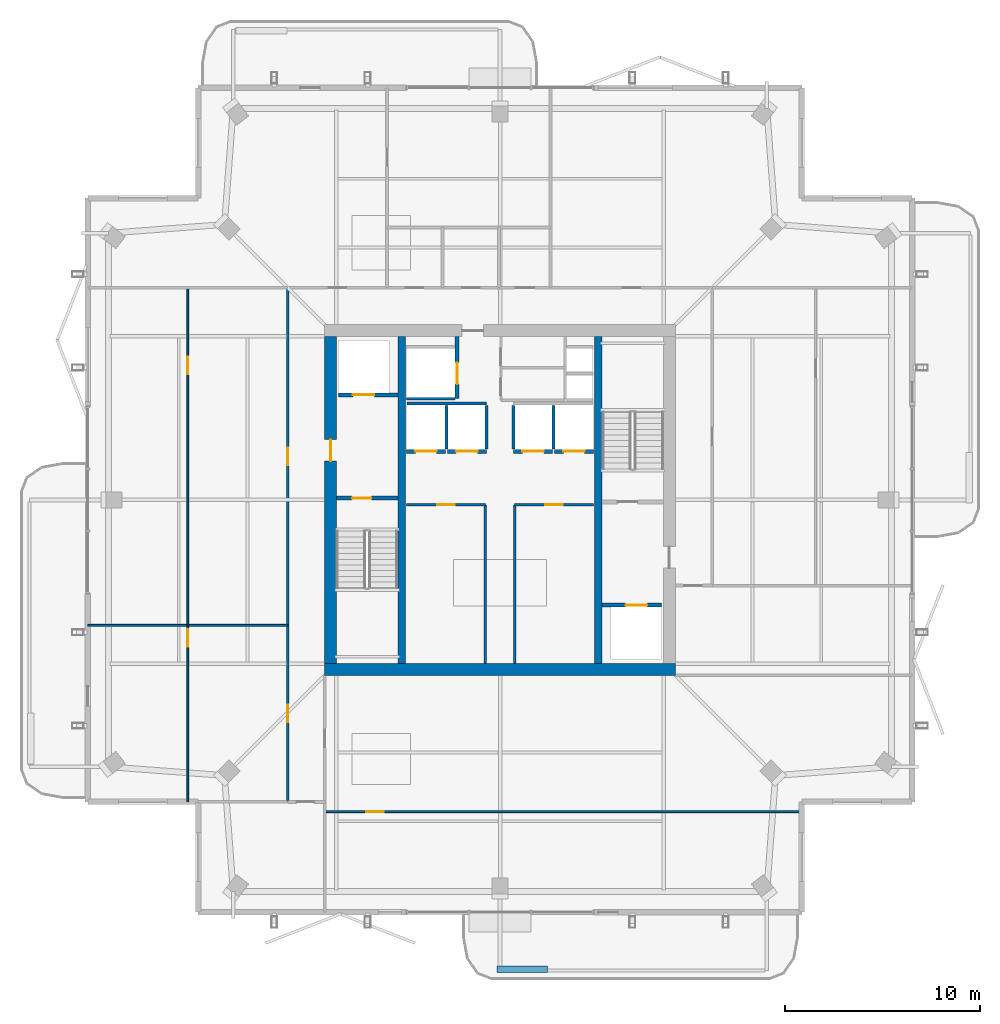
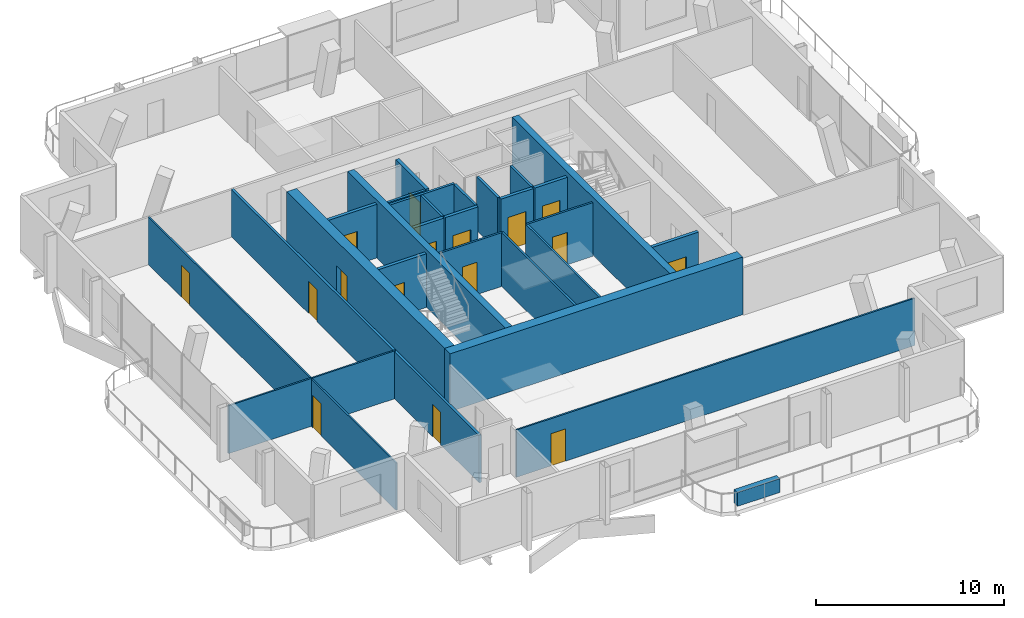
# One storey, part 15 of 20: 28 walls, 16 doors, 16 openings.
"""IFC4 building model written with IfcOpenShell, lengths in metres."""

from ifc_helpers import new_model, si_unit, direction, frame, frame_2d, origin, place, context, subcontext, project, spatial, rectangle, extrude, material, layer, layer_set, type_object, element, fill, save


model = new_model("IFC4")

# Units and contexts
model_context = context("Model", 3, precision=1e-05, world=origin(), true_north=direction((0.0, 1.0)))
body_context = subcontext(model_context, "Body", "Model", "MODEL_VIEW")
ifc_project = project(units=[si_unit("LENGTHUNIT", "METRE"), si_unit("AREAUNIT", "SQUARE_METRE"), si_unit("VOLUMEUNIT", "CUBIC_METRE"), si_unit("PLANEANGLEUNIT", "RADIAN"), si_unit("MASSUNIT", "GRAM", prefix="KILO")], contexts=[model_context])

# Site, building, storey
site_placement = place(None, origin())
site = spatial("IfcSite", under=ifc_project, at=site_placement, CompositionType="ELEMENT")
building_placement = place(site_placement, origin())
building = spatial("IfcBuilding", under=site, at=building_placement, Name="Belovzor Exchange Tower", CompositionType="ELEMENT")
storey_placement = place(building_placement, frame((0.0, 0.0, 351.75)))
storey = spatial("IfcBuildingStorey", under=building, at=storey_placement, Name="L88", CompositionType="ELEMENT", Elevation=351.75)

# Wall, opening, door
ifc_material_1 = material(Name="Acoustic Laminated Glass and Aluminium", Category="aluminium")
ifc_layer_1 = layer(ifc_material_1, 0.10009765625)
ifc_layer_set_1 = layer_set([ifc_layer_1], Name="Acoustic Laminated Glass and Aluminium")
wall_type_1 = type_object("IfcWallType", Name="Demountable Executive Glass Partition 100", PredefinedType="MOVABLE", material=ifc_layer_set_1)
wall_1_placement = place(storey_placement, frame((12.764892578125, 13.300048828125, 0.0), z_axis=(0.0, 0.0, 1.0), x_axis=(0.0, 1.0, 0.0)))
wall_1 = element("IfcWall", 1, at=wall_1_placement, inside=storey, type_object=wall_type_1, Name="W-M100 Partition Wall W-L88-WHDIV-0", PredefinedType="MOVABLE", context=body_context, shape_type="SweptSolid", body=[
    extrude(rectangle(XDim=9.057861328125, YDim=0.10009765625, at=frame_2d((4.52880859375, 0.0))), origin(), (0.0, 0.0, 1.0), 3.074951171875),
])
opening_1_placement = place(wall_1_placement, frame((7.9580078125, 0.0, 0.0)))
opening_1 = element("IfcOpeningElement", 2, at=opening_1_placement, cuts=wall_1, Name="Opening D-INT-090", PredefinedType="OPENING", context=body_context, shape_type="SweptSolid", body=[
    extrude(rectangle(XDim=0.89990234375, YDim=2.10009765625, at=frame_2d((0.449951171875, 1.050048828125))), frame((0.0, 0.06005859375, 0.0), z_axis=(0.0, -1.0, 0.0), x_axis=(1.0, 0.0, 0.0)), (0.0, 0.0, 1.0), 0.1201171875),
])
ifc_material_2 = material(Name="Veneered Hardwood Acoustic Leaf", Category="wood")
door_type_1 = type_object("IfcDoorType", Name="Trading Suite Acoustic Single Door 900x2100", OperationType="NOTDEFINED", PredefinedType="DOOR", material=ifc_material_2)
door_1_placement = place(opening_1_placement, origin())
door_1 = element("IfcDoor", 3, at=door_1_placement, inside=storey, type_object=door_type_1, Name="D-INT-090 Trading Suite Acoustic Single Door 900x2100", OperationType="SINGLE_SWING_LEFT", OverallHeight=2.10009765625, OverallWidth=0.89990234375, PredefinedType="DOOR", context=body_context, shape_type="SweptSolid", body=[
    extrude(rectangle(XDim=0.89990234375, YDim=2.10009765625, at=frame_2d((0.449951171875, 1.050048828125))), frame((0.0, 0.02490234375, 0.0), z_axis=(0.0, -1.0, 0.0), x_axis=(1.0, 0.0, 0.0)), (0.0, 0.0, 1.0), 0.050048828125),
])
fill(opening_1, door_1)

# Wall
wall_2_placement = place(storey_placement, frame((7.6298828125, 22.35791015625, 0.0), z_axis=(0.0, 0.0, 1.0), x_axis=(1.0, 0.0, 0.0)))
element("IfcWall", 4, at=wall_2_placement, inside=storey, type_object=wall_type_1, Name="W-M100 Partition Wall W-L88-WDIV-1", PredefinedType="MOVABLE", context=body_context, shape_type="SweptSolid", body=[
    extrude(rectangle(XDim=10.27001953125, YDim=0.10009765625, at=frame_2d((5.135009765625, 0.0))), origin(), (0.0, 0.0, 1.0), 3.114990234375),
])

# Wall, opening, door
wall_3_placement = place(storey_placement, frame((12.764892578125, 22.35791015625, 0.0), z_axis=(0.0, 0.0, 1.0), x_axis=(0.0, 1.0, 0.0)))
wall_3 = element("IfcWall", 5, at=wall_3_placement, inside=storey, type_object=wall_type_1, Name="W-M100 Partition Wall W-L88-WHDIV-1", PredefinedType="MOVABLE", context=body_context, shape_type="SweptSolid", body=[
    extrude(rectangle(XDim=17.342041015625, YDim=0.10009765625, at=frame_2d((8.6708984375, 0.0))), origin(), (0.0, 0.0, 1.0), 3.074951171875),
])
opening_2_placement = place(wall_3_placement, frame((12.89990234375, 0.0, 0.0)))
opening_2 = element("IfcOpeningElement", 6, at=opening_2_placement, cuts=wall_3, Name="Opening D-INT-090", PredefinedType="OPENING", context=body_context, shape_type="SweptSolid", body=[
    extrude(rectangle(XDim=0.89990234375, YDim=2.10009765625, at=frame_2d((0.449951171875, 1.050048828125))), frame((0.0, 0.06005859375, 0.0), z_axis=(0.0, -1.0, 0.0), x_axis=(1.0, 0.0, 0.0)), (0.0, 0.0, 1.0), 0.1201171875),
])
door_2_placement = place(opening_2_placement, origin())
door_2 = element("IfcDoor", 7, at=door_2_placement, inside=storey, type_object=door_type_1, Name="D-INT-090 Trading Suite Acoustic Single Door 900x2100", OperationType="SINGLE_SWING_LEFT", OverallHeight=2.10009765625, OverallWidth=0.89990234375, PredefinedType="DOOR", context=body_context, shape_type="SweptSolid", body=[
    extrude(rectangle(XDim=0.89990234375, YDim=2.10009765625, at=frame_2d((0.449951171875, 1.050048828125))), frame((0.0, 0.02490234375, 0.0), z_axis=(0.0, -1.0, 0.0), x_axis=(1.0, 0.0, 0.0)), (0.0, 0.0, 1.0), 0.050048828125),
])
fill(opening_2, door_2)

wall_4_placement = place(storey_placement, frame((19.800048828125, 12.7939453125, 0.0), z_axis=(0.0, 0.0, 1.0), x_axis=(1.0, 0.0, 0.0)))
wall_4 = element("IfcWall", 8, at=wall_4_placement, inside=storey, type_object=wall_type_1, Name="W-M100 Partition Wall W-L88-SHDIV-0", PredefinedType="MOVABLE", context=body_context, shape_type="SweptSolid", body=[
    extrude(rectangle(XDim=24.5, YDim=0.10009765625, at=frame_2d((12.25, 0.0))), origin(), (0.0, 0.0, 1.0), 3.074951171875),
])
opening_3_placement = place(wall_4_placement, frame((2.133056640625, 0.0, 0.0)))
opening_3 = element("IfcOpeningElement", 9, at=opening_3_placement, cuts=wall_4, Name="Opening D-INT-090", PredefinedType="OPENING", context=body_context, shape_type="SweptSolid", body=[
    extrude(rectangle(XDim=0.89990234375, YDim=2.10009765625, at=frame_2d((0.449951171875, 1.050048828125))), frame((0.0, 0.06005859375, 0.0), z_axis=(0.0, -1.0, 0.0), x_axis=(1.0, 0.0, 0.0)), (0.0, 0.0, 1.0), 0.1201171875),
])
door_3_placement = place(opening_3_placement, origin())
door_3 = element("IfcDoor", 10, at=door_3_placement, inside=storey, type_object=door_type_1, Name="D-INT-090 Trading Suite Acoustic Single Door 900x2100", OperationType="SINGLE_SWING_LEFT", OverallHeight=2.10009765625, OverallWidth=0.89990234375, PredefinedType="DOOR", context=body_context, shape_type="SweptSolid", body=[
    extrude(rectangle(XDim=0.89990234375, YDim=2.10009765625, at=frame_2d((0.449951171875, 1.050048828125))), frame((0.0, 0.02490234375, 0.0), z_axis=(0.0, -1.0, 0.0), x_axis=(1.0, 0.0, 0.0)), (0.0, 0.0, 1.0), 0.050048828125),
])
fill(opening_3, door_3)

ifc_material_3 = material(Name="Fire-Rated Plasterboard on Galvanised Studs", Category="gypsum")
ifc_layer_2 = layer(ifc_material_3, 0.1201171875)
ifc_layer_set_2 = layer_set([ifc_layer_2], Name="Fire-Rated Plasterboard on Galvanised Studs")
wall_type_2 = type_object("IfcWallType", Name="Fire-Rated Double-Stud Partition Wall 120", PredefinedType="PARTITIONING", material=ifc_layer_set_2)
wall_5_placement = place(storey_placement, frame((24.0, 28.550048828125, 0.0), z_axis=(0.0, 0.0, 1.0), x_axis=(1.0, 0.0, 0.0)))
wall_5 = element("IfcWall", 11, at=wall_5_placement, inside=storey, type_object=wall_type_2, Name="W-P120F Partition Wall W-CRWB-L88-N", PredefinedType="PARTITIONING", context=body_context, shape_type="SweptSolid", body=[
    extrude(rectangle(XDim=4.050048828125, YDim=0.1201171875, at=frame_2d((2.02490234375, 0.0))), origin(), (0.0, 0.0, 1.0), 3.489990234375),
])
opening_4_placement = place(wall_5_placement, frame((1.574951171875, 0.0, 0.0)))
opening_4 = element("IfcOpeningElement", 12, at=opening_4_placement, cuts=wall_5, Name="Opening D-FD60-090", PredefinedType="OPENING", context=body_context, shape_type="SweptSolid", body=[
    extrude(rectangle(XDim=0.89990234375, YDim=2.10009765625, at=frame_2d((0.449951171875, 1.050048828125))), frame((0.0, 0.070068359375, 0.0), z_axis=(0.0, -1.0, 0.0), x_axis=(1.0, 0.0, 0.0)), (0.0, 0.0, 1.0), 0.14013671875),
])
ifc_material_4 = material(Name="Acoustic Timber Fire Leaf", Category="wood")
door_type_2 = type_object("IfcDoorType", Name="Core Service & Restroom Fire Door 900x2100", OperationType="NOTDEFINED", PredefinedType="DOOR", material=ifc_material_4)
door_4_placement = place(opening_4_placement, origin())
door_4 = element("IfcDoor", 13, at=door_4_placement, inside=storey, type_object=door_type_2, Name="D-FD60-090 Core Service & Restroom Fire Door 900x2100", OperationType="SINGLE_SWING_LEFT", OverallHeight=2.10009765625, OverallWidth=0.89990234375, PredefinedType="DOOR", context=body_context, shape_type="SweptSolid", body=[
    extrude(rectangle(XDim=0.89990234375, YDim=2.10009765625, at=frame_2d((0.449951171875, 1.050048828125))), frame((0.0, 0.02490234375, 0.0), z_axis=(0.0, -1.0, 0.0), x_axis=(1.0, 0.0, 0.0)), (0.0, 0.0, 1.0), 0.050048828125),
])
fill(opening_4, door_4)

# Wall
wall_6_placement = place(storey_placement, frame((28.050048828125, 20.39990234375, 0.0), z_axis=(0.0, 0.0, 1.0), x_axis=(0.0, 1.0, 0.0)))
element("IfcWall", 14, at=wall_6_placement, inside=storey, type_object=wall_type_2, Name="W-P120F Partition Wall W-CRWB-L88-E", PredefinedType="PARTITIONING", context=body_context, shape_type="SweptSolid", body=[
    extrude(rectangle(XDim=8.150146484375, YDim=0.1201171875, at=frame_2d((4.0751953125, 0.0))), origin(), (0.0, 0.0, 1.0), 3.489990234375),
])

# Wall, opening, door
wall_7_placement = place(storey_placement, frame((29.550048828125, 28.550048828125, 0.0), z_axis=(0.0, 0.0, 1.0), x_axis=(1.0, 0.0, 0.0)))
wall_7 = element("IfcWall", 15, at=wall_7_placement, inside=storey, type_object=wall_type_2, Name="W-P120F Partition Wall W-CREB-L88-N", PredefinedType="PARTITIONING", context=body_context, shape_type="SweptSolid", body=[
    extrude(rectangle(XDim=4.050048828125, YDim=0.1201171875, at=frame_2d((2.02490234375, 0.0))), origin(), (0.0, 0.0, 1.0), 3.489990234375),
])
opening_5_placement = place(wall_7_placement, frame((1.574951171875, 0.0, 0.0)))
opening_5 = element("IfcOpeningElement", 16, at=opening_5_placement, cuts=wall_7, Name="Opening D-FD60-090", PredefinedType="OPENING", context=body_context, shape_type="SweptSolid", body=[
    extrude(rectangle(XDim=0.89990234375, YDim=2.10009765625, at=frame_2d((0.449951171875, 1.050048828125))), frame((0.0, 0.070068359375, 0.0), z_axis=(0.0, -1.0, 0.0), x_axis=(1.0, 0.0, 0.0)), (0.0, 0.0, 1.0), 0.14013671875),
])
door_5_placement = place(opening_5_placement, origin())
door_5 = element("IfcDoor", 17, at=door_5_placement, inside=storey, type_object=door_type_2, Name="D-FD60-090 Core Service & Restroom Fire Door 900x2100", OperationType="SINGLE_SWING_RIGHT", OverallHeight=2.10009765625, OverallWidth=0.89990234375, PredefinedType="DOOR", context=body_context, shape_type="SweptSolid", body=[
    extrude(rectangle(XDim=0.89990234375, YDim=2.10009765625, at=frame_2d((0.449951171875, 1.050048828125))), frame((0.0, 0.02490234375, 0.0), z_axis=(0.0, -1.0, 0.0), x_axis=(1.0, 0.0, 0.0)), (0.0, 0.0, 1.0), 0.050048828125),
])
fill(opening_5, door_5)

# Wall
wall_8_placement = place(storey_placement, frame((29.550048828125, 20.39990234375, 0.0), z_axis=(0.0, 0.0, 1.0), x_axis=(0.0, 1.0, 0.0)))
element("IfcWall", 18, at=wall_8_placement, inside=storey, type_object=wall_type_2, Name="W-P120F Partition Wall W-CREB-L88-W", PredefinedType="PARTITIONING", context=body_context, shape_type="SweptSolid", body=[
    extrude(rectangle(XDim=8.150146484375, YDim=0.1201171875, at=frame_2d((4.0751953125, 0.0))), origin(), (0.0, 0.0, 1.0), 3.489990234375),
])

# Wall, openings, doors
ifc_material_5 = material(Name="Fire-Rated Gypsum Block and Mineral Wool", Category="gypsum")
ifc_layer_3 = layer(ifc_material_5, 0.14990234375)
ifc_layer_set_3 = layer_set([ifc_layer_3], Name="Fire-Rated Gypsum Block and Mineral Wool")
wall_type_3 = type_object("IfcWallType", Name="Fire-Rated Gypsum Block Corridor Wall 150", PredefinedType="PARTITIONING", material=ifc_layer_set_3)
wall_9_placement = place(storey_placement, frame((17.89990234375, 13.300048828125, 0.0), z_axis=(0.0, 0.0, 1.0), x_axis=(0.0, 1.0, 0.0)))
wall_9 = element("IfcWall", 19, at=wall_9_placement, inside=storey, type_object=wall_type_3, Name="W-P150 Partition Wall W-L88-CW", PredefinedType="PARTITIONING", context=body_context, shape_type="SweptSolid", body=[
    extrude(rectangle(XDim=26.39990234375, YDim=0.14990234375, at=frame_2d((13.199951171875, 0.0))), origin(), (0.0, 0.0, 1.0), 3.074951171875),
])
opening_6_placement = place(wall_9_placement, frame((4.0791015625, 0.0, 0.0)))
opening_6 = element("IfcOpeningElement", 20, at=opening_6_placement, cuts=wall_9, Name="Opening D-INT-090", PredefinedType="OPENING", context=body_context, shape_type="SweptSolid", body=[
    extrude(rectangle(XDim=0.89990234375, YDim=2.10009765625, at=frame_2d((0.449951171875, 1.050048828125))), frame((0.0, 0.0849609375, 0.0), z_axis=(0.0, -1.0, 0.0), x_axis=(1.0, 0.0, 0.0)), (0.0, 0.0, 1.0), 0.169921875),
])
opening_7_placement = place(wall_9_placement, frame((17.279052734375, 0.0, 0.0)))
opening_7 = element("IfcOpeningElement", 21, at=opening_7_placement, cuts=wall_9, Name="Opening D-INT-090", PredefinedType="OPENING", context=body_context, shape_type="SweptSolid", body=[
    extrude(rectangle(XDim=0.89990234375, YDim=2.10009765625, at=frame_2d((0.449951171875, 1.050048828125))), frame((0.0, 0.0849609375, 0.0), z_axis=(0.0, -1.0, 0.0), x_axis=(1.0, 0.0, 0.0)), (0.0, 0.0, 1.0), 0.169921875),
])
door_6_placement = place(opening_6_placement, origin())
door_6 = element("IfcDoor", 22, at=door_6_placement, inside=storey, type_object=door_type_1, Name="D-INT-090 Trading Suite Acoustic Single Door 900x2100", OperationType="SINGLE_SWING_RIGHT", OverallHeight=2.10009765625, OverallWidth=0.89990234375, PredefinedType="DOOR", context=body_context, shape_type="SweptSolid", body=[
    extrude(rectangle(XDim=0.89990234375, YDim=2.10009765625, at=frame_2d((0.449951171875, 1.050048828125))), frame((0.0, 0.02490234375, 0.0), z_axis=(0.0, -1.0, 0.0), x_axis=(1.0, 0.0, 0.0)), (0.0, 0.0, 1.0), 0.050048828125),
])
fill(opening_6, door_6)
door_7_placement = place(opening_7_placement, origin())
door_7 = element("IfcDoor", 23, at=door_7_placement, inside=storey, type_object=door_type_1, Name="D-INT-090 Trading Suite Acoustic Single Door 900x2100", OperationType="SINGLE_SWING_LEFT", OverallHeight=2.10009765625, OverallWidth=0.89990234375, PredefinedType="DOOR", context=body_context, shape_type="SweptSolid", body=[
    extrude(rectangle(XDim=0.89990234375, YDim=2.10009765625, at=frame_2d((0.449951171875, 1.050048828125))), frame((0.0, 0.02490234375, 0.0), z_axis=(0.0, -1.0, 0.0), x_axis=(1.0, 0.0, 0.0)), (0.0, 0.0, 1.0), 0.050048828125),
])
fill(opening_7, door_7)

# Walls
ifc_material_6 = material(Name="Precast concrete C40/50", Category="concrete")
ifc_layer_4 = layer(ifc_material_6, 0.35009765625)
ifc_layer_set_4 = layer_set([ifc_layer_4], Name="Precast concrete C40/50")
wall_type_4 = type_object("IfcWallType", Name="Precast Concrete Structural Tree Planter Trough 350", PredefinedType="PARAPET", material=ifc_layer_set_4)
wall_10_placement = place(storey_placement, frame((28.64990234375, 4.699951171875, 0.0), z_axis=(0.0, 0.0, 1.0), x_axis=(1.0, 0.0, 0.0)))
element("IfcWall", 24, at=wall_10_placement, inside=storey, type_object=wall_type_4, Name="PT-350 Precast Concrete Structural Tree Planter Trough 350 L88", PredefinedType="PARAPET", context=body_context, shape_type="SweptSolid", body=[
    extrude(rectangle(XDim=2.60009765625, YDim=0.35009765625, at=frame_2d((1.300048828125, 0.0))), origin(), (0.0, 0.0, 1.0), 0.89990234375),
])
ifc_material_7 = material(Name="Concrete C50/60", Category="concrete")
ifc_layer_5 = layer(ifc_material_7, 0.39990234375)
ifc_layer_set_5 = layer_set([ifc_layer_5], Name="Concrete C50/60")
wall_type_5 = type_object("IfcWallType", Name="Reinforced Concrete Core Internal Web Wall 400", PredefinedType="SHEAR", material=ifc_layer_set_5)
for number, where, z_axis, x_axis, name in (
    (25, (23.75, 20.39990234375, 0.0), (0.0, 0.0, 1.0), (0.0, 1.0, 0.0), "CW-W040 Core Internal Web Wall L88 WL"),
    (26, (33.85009765625, 20.39990234375, 0.0), (0.0, 0.0, 1.0), (0.0, 1.0, 0.0), "CW-W040 Core Internal Web Wall L88 ER"),
):
    element("IfcWall", number, at=place(storey_placement, frame(where, z_axis=z_axis, x_axis=x_axis)), inside=storey, type_object=wall_type_5, Name=name, PredefinedType="SHEAR", context=body_context, shape_type="SweptSolid", body=[
        extrude(rectangle(XDim=16.800048828125, YDim=0.39990234375, at=frame_2d((8.39990234375, 0.0))), origin(), (0.0, 0.0, 1.0), 3.75),
    ])
ifc_material_8 = material(Name="Concrete C50/60", Category="concrete")
ifc_layer_6 = layer(ifc_material_8, 0.14990234375)
ifc_layer_set_6 = layer_set([ifc_layer_6], Name="Concrete C50/60")
wall_type_6 = type_object("IfcWallType", Name="Reinforced Concrete Core Riser Shear Wall 150", PredefinedType="SHEAR", material=ifc_layer_set_6)
wall_11_placement = place(storey_placement, frame((24.0, 34.0, 0.0), z_axis=(0.0, 0.0, 1.0), x_axis=(1.0, 0.0, 0.0)))
element("IfcWall", 27, at=wall_11_placement, inside=storey, type_object=wall_type_6, Name="W-C150S Core Shaft Wall W-SH-L88-SL-01S", PredefinedType="SHEAR", context=body_context, shape_type="SweptSolid", body=[
    extrude(rectangle(XDim=2.47998046875, YDim=0.14990234375, at=frame_2d((1.239990234375, 0.0))), origin(), (0.0, 0.0, 1.0), 3.489990234375),
])
wall_12_placement = place(storey_placement, frame((24.02001953125, 33.760009765625, 0.0), z_axis=(0.0, 0.0, 1.0), x_axis=(1.0, 0.0, 0.0)))
element("IfcWall", 28, at=wall_12_placement, inside=storey, type_object=wall_type_6, Name="W-C150S Core Shaft Wall W-SHB-L88-PLH-NW", PredefinedType="SHEAR", context=body_context, shape_type="SweptSolid", body=[
    extrude(rectangle(XDim=4.080078125, YDim=0.14990234375, at=frame_2d((2.0400390625, 0.0))), origin(), (0.0, 0.0, 1.0), 3.489990234375),
])
for number, where, z_axis, x_axis, name in (
    (29, (26.050048828125, 31.419921875, 0.0), (0.0, 0.0, 1.0), (0.0, 1.0, 0.0), "W-C150S Core Shaft Wall W-SHD-L88-PLH-1"),
    (30, (28.10009765625, 31.419921875, 0.0), (0.0, 0.0, 1.0), (0.0, 1.0, 0.0), "W-C150S Core Shaft Wall W-SHD-L88-PLH-2"),
    (31, (29.5, 31.419921875, 0.0), (0.0, 0.0, 1.0), (0.0, 1.0, 0.0), "W-C150S Core Shaft Wall W-SHD-L88-PLH-3"),
    (32, (31.550048828125, 31.419921875, 0.0), (0.0, 0.0, 1.0), (0.0, 1.0, 0.0), "W-C150S Core Shaft Wall W-SHD-L88-PLH-4"),
):
    element("IfcWall", number, at=place(storey_placement, frame(where, z_axis=z_axis, x_axis=x_axis)), inside=storey, type_object=wall_type_6, Name=name, PredefinedType="SHEAR", context=body_context, shape_type="SweptSolid", body=[
        extrude(rectangle(XDim=2.239990234375, YDim=0.14990234375, at=frame_2d((1.1201171875, 0.0))), origin(), (0.0, 0.0, 1.0), 3.489990234375),
    ])

# Wall, opening, door
ifc_material_9 = material(Name="Concrete C50/60", Category="concrete")
ifc_layer_7 = layer(ifc_material_9, 0.199951171875)
ifc_layer_set_7 = layer_set([ifc_layer_7], Name="Concrete C50/60")
wall_type_7 = type_object("IfcWallType", Name="Reinforced Concrete Core Shaft Shear Wall 200", PredefinedType="SHEAR", material=ifc_layer_set_7)
wall_13_placement = place(storey_placement, frame((20.39990234375, 28.89990234375, 0.0), z_axis=(0.0, 0.0, 1.0), x_axis=(1.0, 0.0, 0.0)))
wall_13 = element("IfcWall", 33, at=wall_13_placement, inside=storey, type_object=wall_type_7, Name="W-C200S Core Shaft Wall W-CORE-L88-FFLW1", PredefinedType="SHEAR", context=body_context, shape_type="SweptSolid", body=[
    extrude(rectangle(XDim=3.150146484375, YDim=0.199951171875, at=frame_2d((1.5751953125, 0.0))), origin(), (0.0, 0.0, 1.0), 3.489990234375),
])
opening_8_placement = place(wall_13_placement, frame((0.800048828125, 0.0, 0.0)))
opening_8 = element("IfcOpeningElement", 34, at=opening_8_placement, cuts=wall_13, Name="Opening D-FD90-100", PredefinedType="OPENING", context=body_context, shape_type="SweptSolid", body=[
    extrude(rectangle(XDim=1.0, YDim=2.10009765625, at=frame_2d((0.5, 1.050048828125))), frame((0.0, 0.10986328125, 0.0), z_axis=(0.0, -1.0, 0.0), x_axis=(1.0, 0.0, 0.0)), (0.0, 0.0, 1.0), 0.219970703125),
])
ifc_material_10 = material(Name="Fire-Rated Galvanised Steel Leaf", Category="steel")
door_type_3 = type_object("IfcDoorType", Name="Protected Stairwell Single Fire Door 1000x2100", OperationType="NOTDEFINED", PredefinedType="DOOR", material=ifc_material_10)
door_8_placement = place(opening_8_placement, origin())
door_8 = element("IfcDoor", 35, at=door_8_placement, inside=storey, type_object=door_type_3, Name="D-FD90-100 Protected Stairwell Single Fire Door 1000x2100", OperationType="SINGLE_SWING_RIGHT", OverallHeight=2.10009765625, OverallWidth=1.0, PredefinedType="DOOR", context=body_context, shape_type="SweptSolid", body=[
    extrude(rectangle(XDim=1.0, YDim=2.10009765625, at=frame_2d((0.5, 1.050048828125))), frame((0.0, 0.02490234375, 0.0), z_axis=(0.0, -1.0, 0.0), x_axis=(1.0, 0.0, 0.0)), (0.0, 0.0, 1.0), 0.050048828125),
])
fill(opening_8, door_8)

wall_14_placement = place(storey_placement, frame((20.5, 34.199951171875, 0.0), z_axis=(0.0, 0.0, 1.0), x_axis=(1.0, 0.0, 0.0)))
wall_14 = element("IfcWall", 36, at=wall_14_placement, inside=storey, type_object=wall_type_7, Name="W-C200S Core Shaft Wall W-SH-L88-FFL-01", PredefinedType="SHEAR", context=body_context, shape_type="SweptSolid", body=[
    extrude(rectangle(XDim=3.050048828125, YDim=0.199951171875, at=frame_2d((1.52490234375, 0.0))), origin(), (0.0, 0.0, 1.0), 3.489990234375),
])
opening_9_placement = place(wall_14_placement, frame((0.75, 0.0, 0.0)))
opening_9 = element("IfcOpeningElement", 37, at=opening_9_placement, cuts=wall_14, Name="Opening LD-110", PredefinedType="OPENING", context=body_context, shape_type="SweptSolid", body=[
    extrude(rectangle(XDim=1.10009765625, YDim=2.14990234375, at=frame_2d((0.550048828125, 1.074951171875))), frame((0.0, 0.10986328125, 0.0), z_axis=(0.0, -1.0, 0.0), x_axis=(1.0, 0.0, 0.0)), (0.0, 0.0, 1.0), 0.219970703125),
])
ifc_material_11 = material(Name="Stainless Steel Grade 304", Category="steel")
door_type_4 = type_object("IfcDoorType", Name="Automated Stainless Steel Lift Landing Door 1100x2150", OperationType="SLIDING_TO_RIGHT", PredefinedType="DOOR", material=ifc_material_11)
door_9_placement = place(opening_9_placement, origin())
door_9 = element("IfcDoor", 38, at=door_9_placement, inside=storey, type_object=door_type_4, Name="LD-110 Automated Stainless Steel Lift Landing Door 1100x2150", OperationType="SLIDING_TO_RIGHT", OverallHeight=2.14990234375, OverallWidth=1.10009765625, PredefinedType="DOOR", context=body_context, shape_type="SweptSolid", body=[
    extrude(rectangle(XDim=1.10009765625, YDim=2.14990234375, at=frame_2d((0.550048828125, 1.074951171875))), frame((0.0, 0.02490234375, 0.0), z_axis=(0.0, -1.0, 0.0), x_axis=(1.0, 0.0, 0.0)), (0.0, 0.0, 1.0), 0.050048828125),
])
fill(opening_9, door_9)

wall_15_placement = place(storey_placement, frame((34.050048828125, 23.39990234375, 0.0), z_axis=(0.0, 0.0, 1.0), x_axis=(1.0, 0.0, 0.0)))
wall_15 = element("IfcWall", 39, at=wall_15_placement, inside=storey, type_object=wall_type_7, Name="W-C200S Core Shaft Wall W-SH-L88-FFL-02", PredefinedType="SHEAR", context=body_context, shape_type="SweptSolid", body=[
    extrude(rectangle(XDim=3.050048828125, YDim=0.199951171875, at=frame_2d((1.52490234375, 0.0))), origin(), (0.0, 0.0, 1.0), 3.489990234375),
])
opening_10_placement = place(wall_15_placement, frame((1.199951171875, 0.0, 0.0)))
opening_10 = element("IfcOpeningElement", 40, at=opening_10_placement, cuts=wall_15, Name="Opening LD-110", PredefinedType="OPENING", context=body_context, shape_type="SweptSolid", body=[
    extrude(rectangle(XDim=1.10009765625, YDim=2.14990234375, at=frame_2d((0.550048828125, 1.074951171875))), frame((0.0, 0.10986328125, 0.0), z_axis=(0.0, -1.0, 0.0), x_axis=(1.0, 0.0, 0.0)), (0.0, 0.0, 1.0), 0.219970703125),
])
door_10_placement = place(opening_10_placement, origin())
door_10 = element("IfcDoor", 41, at=door_10_placement, inside=storey, type_object=door_type_4, Name="LD-110 Automated Stainless Steel Lift Landing Door 1100x2150", OperationType="SLIDING_TO_RIGHT", OverallHeight=2.14990234375, OverallWidth=1.10009765625, PredefinedType="DOOR", context=body_context, shape_type="SweptSolid", body=[
    extrude(rectangle(XDim=1.10009765625, YDim=2.14990234375, at=frame_2d((0.550048828125, 1.074951171875))), frame((0.0, 0.02490234375, 0.0), z_axis=(0.0, -1.0, 0.0), x_axis=(1.0, 0.0, 0.0)), (0.0, 0.0, 1.0), 0.050048828125),
])
fill(opening_10, door_10)

wall_16_placement = place(storey_placement, frame((26.60009765625, 34.0, 0.0), z_axis=(0.0, 0.0, 1.0), x_axis=(0.0, 1.0, 0.0)))
wall_16 = element("IfcWall", 42, at=wall_16_placement, inside=storey, type_object=wall_type_7, Name="W-C200S Core Shaft Wall W-SH-L88-SL-01", PredefinedType="SHEAR", context=body_context, shape_type="SweptSolid", body=[
    extrude(rectangle(XDim=3.199951171875, YDim=0.199951171875, at=frame_2d((1.60009765625, 0.0))), origin(), (0.0, 0.0, 1.0), 3.489990234375),
])
opening_11_placement = place(wall_16_placement, frame((0.75, 0.0, 0.0)))
opening_11 = element("IfcOpeningElement", 43, at=opening_11_placement, cuts=wall_16, Name="Opening LD-110", PredefinedType="OPENING", context=body_context, shape_type="SweptSolid", body=[
    extrude(rectangle(XDim=1.10009765625, YDim=2.14990234375, at=frame_2d((0.550048828125, 1.074951171875))), frame((0.0, 0.10986328125, 0.0), z_axis=(0.0, -1.0, 0.0), x_axis=(1.0, 0.0, 0.0)), (0.0, 0.0, 1.0), 0.219970703125),
])
door_11_placement = place(opening_11_placement, origin())
door_11 = element("IfcDoor", 44, at=door_11_placement, inside=storey, type_object=door_type_4, Name="LD-110 Automated Stainless Steel Lift Landing Door 1100x2150", OperationType="SLIDING_TO_RIGHT", OverallHeight=2.14990234375, OverallWidth=1.10009765625, PredefinedType="DOOR", context=body_context, shape_type="SweptSolid", body=[
    extrude(rectangle(XDim=1.10009765625, YDim=2.14990234375, at=frame_2d((0.550048828125, 1.074951171875))), frame((0.0, 0.02490234375, 0.0), z_axis=(0.0, -1.0, 0.0), x_axis=(1.0, 0.0, 0.0)), (0.0, 0.0, 1.0), 0.050048828125),
])
fill(opening_11, door_11)

wall_17_placement = place(storey_placement, frame((24.0, 31.300048828125, 0.0), z_axis=(0.0, 0.0, 1.0), x_axis=(1.0, 0.0, 0.0)))
wall_17 = element("IfcWall", 45, at=wall_17_placement, inside=storey, type_object=wall_type_7, Name="W-C200S Core Shaft Wall W-SH-L88-PL-H1", PredefinedType="SHEAR", context=body_context, shape_type="SweptSolid", body=[
    extrude(rectangle(XDim=2.0, YDim=0.199951171875, at=frame_2d((1.0, 0.0))), origin(), (0.0, 0.0, 1.0), 3.489990234375),
])
opening_12_placement = place(wall_17_placement, frame((0.449951171875, 0.0, 0.0)))
opening_12 = element("IfcOpeningElement", 46, at=opening_12_placement, cuts=wall_17, Name="Opening LD-110", PredefinedType="OPENING", context=body_context, shape_type="SweptSolid", body=[
    extrude(rectangle(XDim=1.10009765625, YDim=2.14990234375, at=frame_2d((0.550048828125, 1.074951171875))), frame((0.0, 0.10986328125, 0.0), z_axis=(0.0, -1.0, 0.0), x_axis=(1.0, 0.0, 0.0)), (0.0, 0.0, 1.0), 0.219970703125),
])
door_12_placement = place(opening_12_placement, origin())
door_12 = element("IfcDoor", 47, at=door_12_placement, inside=storey, type_object=door_type_4, Name="LD-110 Automated Stainless Steel Lift Landing Door 1100x2150", OperationType="SLIDING_TO_RIGHT", OverallHeight=2.14990234375, OverallWidth=1.10009765625, PredefinedType="DOOR", context=body_context, shape_type="SweptSolid", body=[
    extrude(rectangle(XDim=1.10009765625, YDim=2.14990234375, at=frame_2d((0.550048828125, 1.074951171875))), frame((0.0, 0.02490234375, 0.0), z_axis=(0.0, -1.0, 0.0), x_axis=(1.0, 0.0, 0.0)), (0.0, 0.0, 1.0), 0.050048828125),
])
fill(opening_12, door_12)

wall_18_placement = place(storey_placement, frame((26.10009765625, 31.300048828125, 0.0), z_axis=(0.0, 0.0, 1.0), x_axis=(1.0, 0.0, 0.0)))
wall_18 = element("IfcWall", 48, at=wall_18_placement, inside=storey, type_object=wall_type_7, Name="W-C200S Core Shaft Wall W-SH-L88-PL-H2", PredefinedType="SHEAR", context=body_context, shape_type="SweptSolid", body=[
    extrude(rectangle(XDim=2.0, YDim=0.199951171875, at=frame_2d((1.0, 0.0))), origin(), (0.0, 0.0, 1.0), 3.489990234375),
])
opening_13_placement = place(wall_18_placement, frame((0.449951171875, 0.0, 0.0)))
opening_13 = element("IfcOpeningElement", 49, at=opening_13_placement, cuts=wall_18, Name="Opening LD-110", PredefinedType="OPENING", context=body_context, shape_type="SweptSolid", body=[
    extrude(rectangle(XDim=1.10009765625, YDim=2.14990234375, at=frame_2d((0.550048828125, 1.074951171875))), frame((0.0, 0.10986328125, 0.0), z_axis=(0.0, -1.0, 0.0), x_axis=(1.0, 0.0, 0.0)), (0.0, 0.0, 1.0), 0.219970703125),
])
door_13_placement = place(opening_13_placement, origin())
door_13 = element("IfcDoor", 50, at=door_13_placement, inside=storey, type_object=door_type_4, Name="LD-110 Automated Stainless Steel Lift Landing Door 1100x2150", OperationType="SLIDING_TO_RIGHT", OverallHeight=2.14990234375, OverallWidth=1.10009765625, PredefinedType="DOOR", context=body_context, shape_type="SweptSolid", body=[
    extrude(rectangle(XDim=1.10009765625, YDim=2.14990234375, at=frame_2d((0.550048828125, 1.074951171875))), frame((0.0, 0.02490234375, 0.0), z_axis=(0.0, -1.0, 0.0), x_axis=(1.0, 0.0, 0.0)), (0.0, 0.0, 1.0), 0.050048828125),
])
fill(opening_13, door_13)

wall_19_placement = place(storey_placement, frame((29.5, 31.300048828125, 0.0), z_axis=(0.0, 0.0, 1.0), x_axis=(1.0, 0.0, 0.0)))
wall_19 = element("IfcWall", 51, at=wall_19_placement, inside=storey, type_object=wall_type_7, Name="W-C200S Core Shaft Wall W-SH-L88-PL-H3", PredefinedType="SHEAR", context=body_context, shape_type="SweptSolid", body=[
    extrude(rectangle(XDim=2.0, YDim=0.199951171875, at=frame_2d((1.0, 0.0))), origin(), (0.0, 0.0, 1.0), 3.489990234375),
])
opening_14_placement = place(wall_19_placement, frame((0.449951171875, 0.0, 0.0)))
opening_14 = element("IfcOpeningElement", 52, at=opening_14_placement, cuts=wall_19, Name="Opening LD-110", PredefinedType="OPENING", context=body_context, shape_type="SweptSolid", body=[
    extrude(rectangle(XDim=1.10009765625, YDim=2.14990234375, at=frame_2d((0.550048828125, 1.074951171875))), frame((0.0, 0.10986328125, 0.0), z_axis=(0.0, -1.0, 0.0), x_axis=(1.0, 0.0, 0.0)), (0.0, 0.0, 1.0), 0.219970703125),
])
door_14_placement = place(opening_14_placement, origin())
door_14 = element("IfcDoor", 53, at=door_14_placement, inside=storey, type_object=door_type_4, Name="LD-110 Automated Stainless Steel Lift Landing Door 1100x2150", OperationType="SLIDING_TO_RIGHT", OverallHeight=2.14990234375, OverallWidth=1.10009765625, PredefinedType="DOOR", context=body_context, shape_type="SweptSolid", body=[
    extrude(rectangle(XDim=1.10009765625, YDim=2.14990234375, at=frame_2d((0.550048828125, 1.074951171875))), frame((0.0, 0.02490234375, 0.0), z_axis=(0.0, -1.0, 0.0), x_axis=(1.0, 0.0, 0.0)), (0.0, 0.0, 1.0), 0.050048828125),
])
fill(opening_14, door_14)

wall_20_placement = place(storey_placement, frame((31.60009765625, 31.300048828125, 0.0), z_axis=(0.0, 0.0, 1.0), x_axis=(1.0, 0.0, 0.0)))
wall_20 = element("IfcWall", 54, at=wall_20_placement, inside=storey, type_object=wall_type_7, Name="W-C200S Core Shaft Wall W-SH-L88-PL-H4", PredefinedType="SHEAR", context=body_context, shape_type="SweptSolid", body=[
    extrude(rectangle(XDim=2.0, YDim=0.199951171875, at=frame_2d((1.0, 0.0))), origin(), (0.0, 0.0, 1.0), 3.489990234375),
])
opening_15_placement = place(wall_20_placement, frame((0.449951171875, 0.0, 0.0)))
opening_15 = element("IfcOpeningElement", 55, at=opening_15_placement, cuts=wall_20, Name="Opening LD-110", PredefinedType="OPENING", context=body_context, shape_type="SweptSolid", body=[
    extrude(rectangle(XDim=1.10009765625, YDim=2.14990234375, at=frame_2d((0.550048828125, 1.074951171875))), frame((0.0, 0.10986328125, 0.0), z_axis=(0.0, -1.0, 0.0), x_axis=(1.0, 0.0, 0.0)), (0.0, 0.0, 1.0), 0.219970703125),
])
door_15_placement = place(opening_15_placement, origin())
door_15 = element("IfcDoor", 56, at=door_15_placement, inside=storey, type_object=door_type_4, Name="LD-110 Automated Stainless Steel Lift Landing Door 1100x2150", OperationType="SLIDING_TO_RIGHT", OverallHeight=2.14990234375, OverallWidth=1.10009765625, PredefinedType="DOOR", context=body_context, shape_type="SweptSolid", body=[
    extrude(rectangle(XDim=1.10009765625, YDim=2.14990234375, at=frame_2d((0.550048828125, 1.074951171875))), frame((0.0, 0.02490234375, 0.0), z_axis=(0.0, -1.0, 0.0), x_axis=(1.0, 0.0, 0.0)), (0.0, 0.0, 1.0), 0.050048828125),
])
fill(opening_15, door_15)

# Wall
ifc_material_12 = material(Name="Concrete C50/60", Category="concrete")
ifc_layer_8 = layer(ifc_material_12, 0.60009765625)
ifc_layer_set_8 = layer_set([ifc_layer_8], Name="Concrete C50/60")
wall_type_8 = type_object("IfcWallType", Name="Reinforced Concrete Core Shear Wall 600", PredefinedType="SHEAR", material=ifc_layer_set_8)
wall_21_placement = place(storey_placement, frame((19.800048828125, 20.10009765625, 0.0), z_axis=(0.0, 0.0, 1.0), x_axis=(1.0, 0.0, 0.0)))
element("IfcWall", 57, at=wall_21_placement, inside=storey, type_object=wall_type_8, Name="CW-S060 Core Shear Wall L88 S", PredefinedType="SHEAR", context=body_context, shape_type="SweptSolid", body=[
    extrude(rectangle(XDim=18.0, YDim=0.60009765625, at=frame_2d((9.0, 0.0))), origin(), (0.0, 0.0, 1.0), 3.75),
])

# Wall, opening, door
wall_22_placement = place(storey_placement, frame((20.10009765625, 20.39990234375, 0.0), z_axis=(0.0, 0.0, 1.0), x_axis=(0.0, 1.0, 0.0)))
wall_22 = element("IfcWall", 58, at=wall_22_placement, inside=storey, type_object=wall_type_8, Name="CW-S060 Core Shear Wall L88 W", PredefinedType="SHEAR", context=body_context, shape_type="SweptSolid", body=[
    extrude(rectangle(XDim=16.800048828125, YDim=0.60009765625, at=frame_2d((8.39990234375, 0.0))), origin(), (0.0, 0.0, 1.0), 3.75),
])
opening_16_placement = place(wall_22_placement, frame((10.39990234375, 0.0, 0.0)))
opening_16 = element("IfcOpeningElement", 59, at=opening_16_placement, cuts=wall_22, Name="Opening D-FD90-110", PredefinedType="OPENING", context=body_context, shape_type="SweptSolid", body=[
    extrude(rectangle(XDim=1.10009765625, YDim=2.14990234375, at=frame_2d((0.550048828125, 1.074951171875))), frame((0.0, 0.31005859375, 0.0), z_axis=(0.0, -1.0, 0.0), x_axis=(1.0, 0.0, 0.0)), (0.0, 0.0, 1.0), 0.6201171875),
])
ifc_material_13 = material(Name="Fire-Rated Galvanised Steel Leaf", Category="steel")
door_type_5 = type_object("IfcDoorType", Name="Protected Escape Vestibule Fire Door 1100x2150", OperationType="NOTDEFINED", PredefinedType="DOOR", material=ifc_material_13)
door_16_placement = place(opening_16_placement, origin())
door_16 = element("IfcDoor", 60, at=door_16_placement, inside=storey, type_object=door_type_5, Name="D-FD90-110 Protected Escape Vestibule Fire Door 1100x2150", OperationType="SINGLE_SWING_LEFT", OverallHeight=2.14990234375, OverallWidth=1.10009765625, PredefinedType="DOOR", context=body_context, shape_type="SweptSolid", body=[
    extrude(rectangle(XDim=1.10009765625, YDim=2.14990234375, at=frame_2d((0.550048828125, 1.074951171875))), frame((0.0, 0.02490234375, 0.0), z_axis=(0.0, -1.0, 0.0), x_axis=(1.0, 0.0, 0.0)), (0.0, 0.0, 1.0), 0.050048828125),
])
fill(opening_16, door_16)

save(model, "model.ifc")
